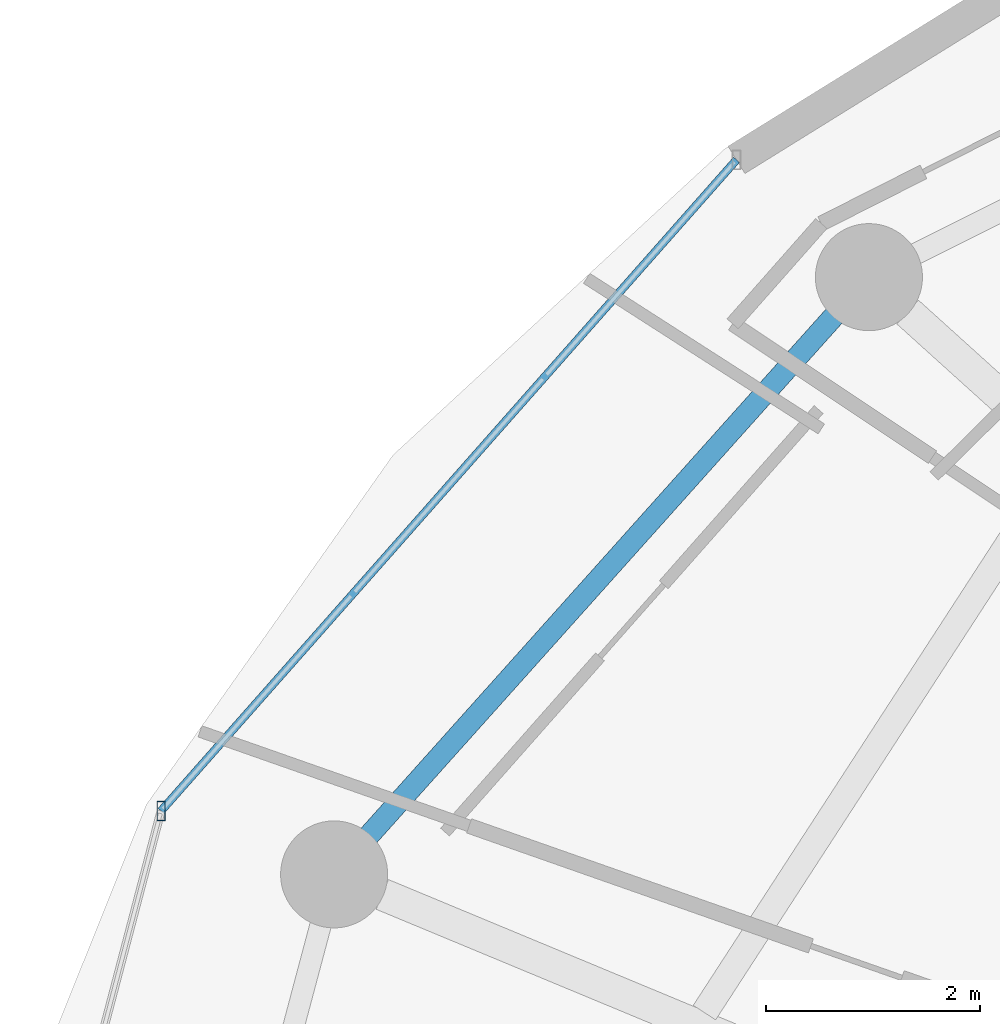
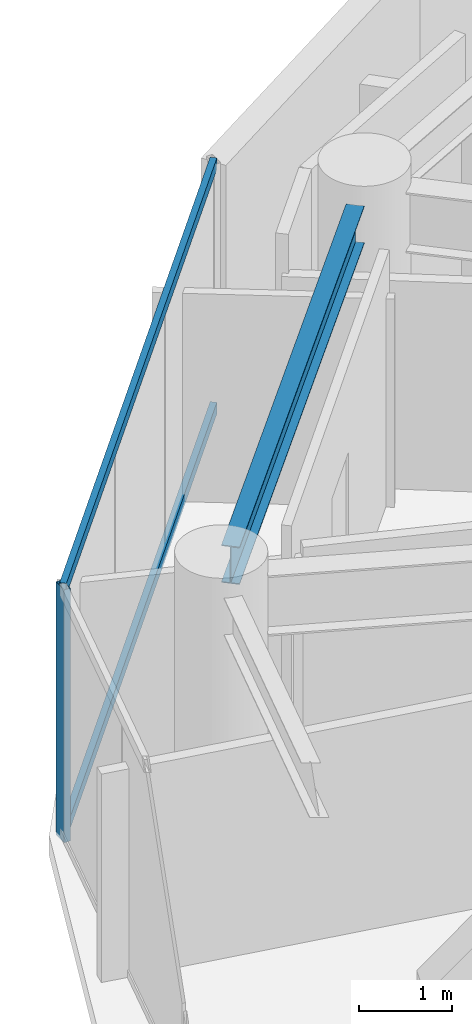
# One storey, part 8 of 28: 3 members, 1 beam, 1 element without a shape of its own.
"""IFC4 building model written with IfcOpenShell, lengths in metres."""

from ifc_helpers import new_model, si_unit, direction, frame, origin, origin_2d, place, context, subcontext, project, spatial, hollow_rectangle, i_section, extrude, material, material_profile, profile_set, type_object, element, aggregate, save


model = new_model("IFC4")

# Units and contexts
model_context = context("Model", 3, precision=1e-05, world=origin(), true_north=direction((0.0, 1.0)))
body_context = subcontext(model_context, "Body", "Model", "MODEL_VIEW")
ifc_project = project(units=[si_unit("LENGTHUNIT", "METRE"), si_unit("AREAUNIT", "SQUARE_METRE"), si_unit("VOLUMEUNIT", "CUBIC_METRE"), si_unit("PLANEANGLEUNIT", "RADIAN"), si_unit("MASSUNIT", "GRAM", prefix="KILO")], contexts=[model_context])

# Site, building, storey
site_placement = place(None, origin())
site = spatial("IfcSite", under=ifc_project, at=site_placement, CompositionType="ELEMENT")
building_placement = place(site_placement, origin())
building = spatial("IfcBuilding", under=site, at=building_placement, Name="Vorneva Point Tower", CompositionType="ELEMENT")
storey_placement = place(building_placement, frame((0.0, 0.0, 164.10009765625)))
storey = spatial("IfcBuildingStorey", under=building, at=storey_placement, Name="L44", CompositionType="ELEMENT", Elevation=164.10009765625)

# Beam
ifc_material_1 = material(Name="Steel S355", Category="steel")
ifc_material_profile_1 = material_profile(ifc_material_1, i_section(OverallWidth=0.199951171875, OverallDepth=0.491943359375, WebThickness=0.0087890625, FlangeThickness=0.011962890625, at=origin_2d()), Name="50B1")
ifc_profile_set_1 = profile_set([ifc_material_profile_1], Name="Steel S355")
beam_type = type_object("IfcBeamType", Name="BM-SPN-50B1", PredefinedType="SPANDREL", material=ifc_profile_set_1)
beam_placement = place(storey_placement, frame((21.377685546875, 37.80078125, 2.993896484375), z_axis=(-0.667111118975, -0.74495822362, 0.0), x_axis=(0.74495822362, -0.667111118975, 0.0)))
element("IfcBeam", 1, at=beam_placement, inside=storey, type_object=beam_type, Name="L44 Perimeter Spandrel Ring Beam 07", PredefinedType="SPANDREL", context=body_context, shape_type="SweptSolid", body=[
    extrude(i_section(OverallWidth=0.199951171875, OverallDepth=0.491943359375, WebThickness=0.0087890625, FlangeThickness=0.011962890625, at=origin_2d()), origin(), (0.0, 0.0, 1.0), 6.52001953125),
])

# Curtain wall, members
ifc_material_2 = material(Name="Pale anodised aluminium", Category="aluminium")
curtain_wall_type = type_object("IfcCurtainWallType", Name="CW-RES-SYS", PredefinedType="NOTDEFINED", material=ifc_material_2)
curtain_wall_placement = place(storey_placement, origin())
curtain_wall = element("IfcCurtainWall", 2, at=curtain_wall_placement, inside=storey, type_object=curtain_wall_type, Name="L44 Unitised Curtain Wall CW-L44-R03", PredefinedType="NOTDEFINED")
ifc_material_profile_2 = material_profile(ifc_material_2, hollow_rectangle(XDim=0.074951171875, YDim=0.179931640625, WallThickness=0.00390625, at=origin_2d()), Name="AL-MUL 180x75x4")
ifc_profile_set_2 = profile_set([ifc_material_profile_2], Name="Pale anodised aluminium")
member_type_1 = type_object("IfcMemberType", Name="CW-MUL-180", PredefinedType="MULLION", material=ifc_profile_set_2)
member_1_placement = place(storey_placement, frame((15.087890625, 33.17529296875, -0.0400390625), z_axis=(0.0, 0.0, 1.0), x_axis=(1.0, 0.0, 0.0)))
member_1 = element("IfcMember", 3, at=member_1_placement, type_object=member_type_1, Name="CW-L44-R03 Mullion 02", PredefinedType="MULLION", context=body_context, shape_type="SweptSolid", body=[
    extrude(hollow_rectangle(XDim=0.074951171875, YDim=0.179931640625, WallThickness=0.00390625, at=origin_2d()), origin(), (0.0, 0.0, 1.0), 3.31005859375),
])
ifc_material_profile_3 = material_profile(ifc_material_2, hollow_rectangle(XDim=0.074951171875, YDim=0.14990234375, WallThickness=0.00390625, at=origin_2d()), Name="AL-TRN 150x75x4")
ifc_profile_set_3 = profile_set([ifc_material_profile_3], Name="Pale anodised aluminium")
member_type_2 = type_object("IfcMemberType", Name="CW-TRN-150", PredefinedType="USERDEFINED", material=ifc_profile_set_3)
member_2_placement = place(storey_placement, frame((20.4638671875, 39.25830078125, 0.02001953125), z_axis=(-0.662218216609, -0.749311039283, 0.0), x_axis=(0.749311039283, -0.662218216609, 0.0)))
member_2 = element("IfcMember", 4, at=member_2_placement, type_object=member_type_2, Name="CW-L44-R03 Transom 01.1", ObjectType="TRANSOM", PredefinedType="USERDEFINED", context=body_context, shape_type="SweptSolid", body=[
    extrude(hollow_rectangle(XDim=0.074951171875, YDim=0.14990234375, WallThickness=0.00390625, at=origin_2d()), origin(), (0.0, 0.0, 1.0), 8.1181640625),
])
member_3_placement = place(storey_placement, frame((20.4638671875, 39.25830078125, 3.219970703125), z_axis=(-0.662218216609, -0.749311039283, 0.0), x_axis=(0.749311039283, -0.662218216609, 0.0)))
member_3 = element("IfcMember", 5, at=member_3_placement, type_object=member_type_2, Name="CW-L44-R03 Transom 01.2", ObjectType="TRANSOM", PredefinedType="USERDEFINED", context=body_context, shape_type="SweptSolid", body=[
    extrude(hollow_rectangle(XDim=0.074951171875, YDim=0.14990234375, WallThickness=0.00390625, at=origin_2d()), origin(), (0.0, 0.0, 1.0), 8.1181640625),
])
aggregate(curtain_wall, [member_1, member_2, member_3])

save(model, "model.ifc")
